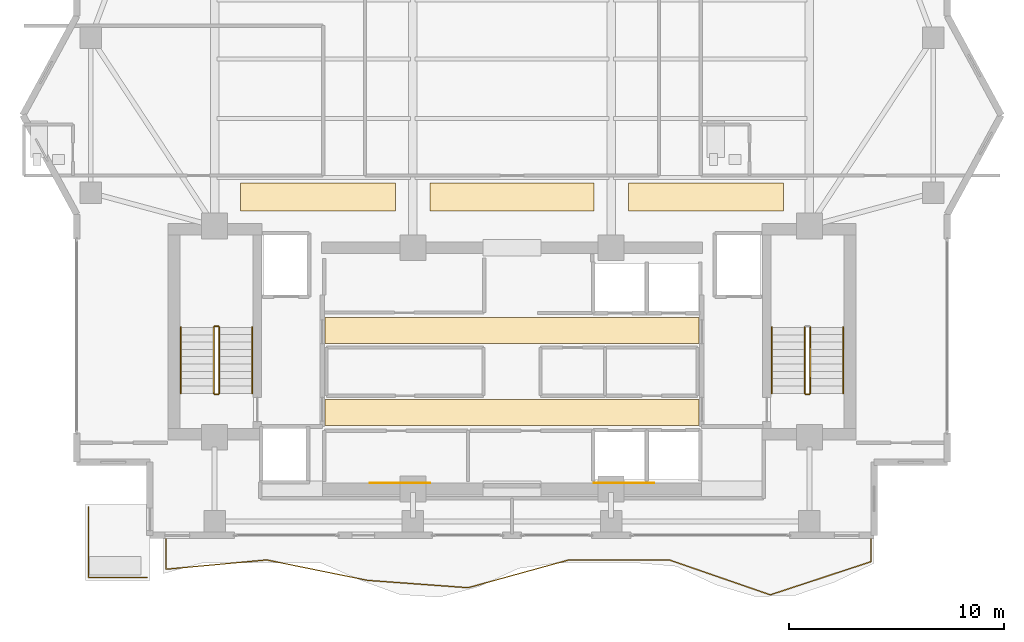
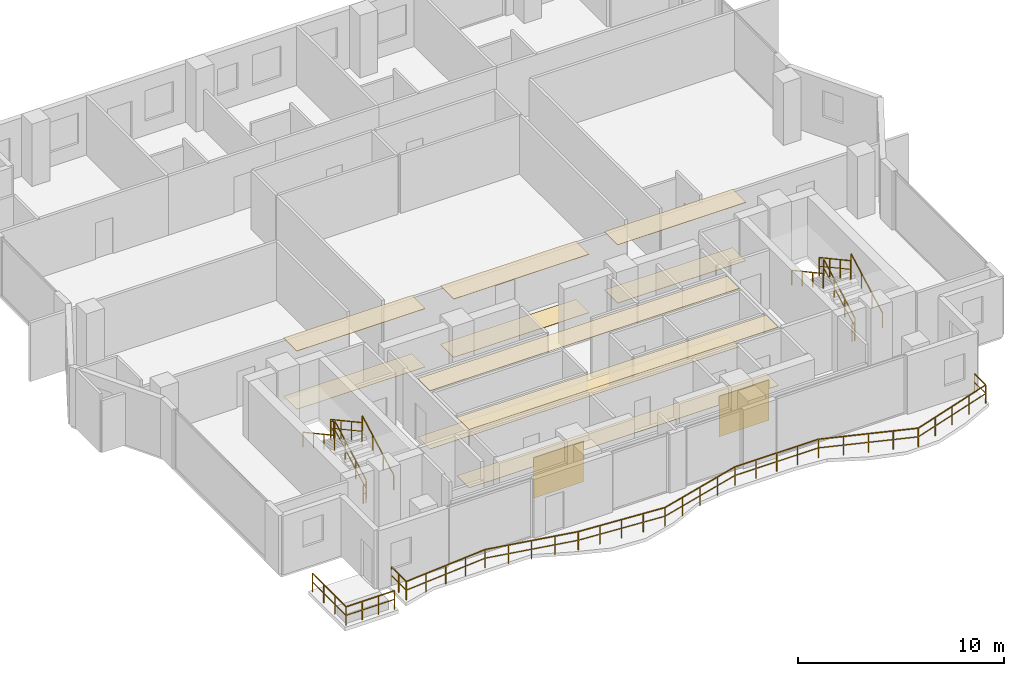
# One storey, part 23 of 26: 13 railings, 12 coverings.
"""IFC4 building model written with IfcOpenShell, lengths in metres."""

from ifc_helpers import new_model, si_unit, direction, frame, origin, origin_2d, place, context, subcontext, project, spatial, polyline, rectangle, outline, extrude, material, layer, layer_set, type_object, element, save


model = new_model("IFC4")

# Units and contexts
model_context = context("Model", 3, precision=1e-05, world=origin(), true_north=direction((0.0, 1.0)))
body_context = subcontext(model_context, "Body", "Model", "MODEL_VIEW")
ifc_project = project(units=[si_unit("LENGTHUNIT", "METRE"), si_unit("AREAUNIT", "SQUARE_METRE"), si_unit("VOLUMEUNIT", "CUBIC_METRE"), si_unit("PLANEANGLEUNIT", "RADIAN"), si_unit("MASSUNIT", "GRAM", prefix="KILO")], contexts=[model_context])

# Site, building, storey
site_placement = place(None, origin())
site = spatial("IfcSite", under=ifc_project, at=site_placement, CompositionType="ELEMENT")
building_placement = place(site_placement, origin())
building = spatial("IfcBuilding", under=site, at=building_placement, Name="Zuhayl Quay Hotel", CompositionType="ELEMENT")
storey_placement = place(building_placement, frame((0.0, 0.0, 247.050048828125)))
storey = spatial("IfcBuildingStorey", under=building, at=storey_placement, Name="L62", CompositionType="ELEMENT", Elevation=247.050048828125)

# Coverings
ifc_material_1 = material(Name="Acoustic Mineral-Fibre Gypsum Board")
ifc_layer_1 = layer(ifc_material_1, 0.02490234375, Name="Acoustic Mineral-Fibre Gypsum Board")
ifc_layer_set_1 = layer_set([ifc_layer_1], Name="Acoustic Mineral-Fibre Gypsum Board")
covering_type_1 = type_object("IfcCoveringType", Name="CV_CEIL_ACOUSTIC", PredefinedType="CEILING", material=ifc_layer_set_1)
covering_1_placement = place(storey_placement, frame((0.0, 0.0, 3.454833984375)))
element("IfcCovering", 1, at=covering_1_placement, inside=storey, type_object=covering_type_1, Name="L62 Suspended Acoustic Lobby Ceiling S", PredefinedType="CEILING", context=body_context, shape_type="SweptSolid", body=[
    extrude(outline(polyline([(-8.679931640625, 5.10009765625), (8.679931640625, 5.10009765625), (8.679931640625, 6.300048828125), (-8.679931640625, 6.300048828125), (-8.679931640625, 5.10009765625)])), origin(), (0.0, 0.0, 1.0), 0.025146484375),
])
covering_2_placement = place(storey_placement, frame((0.0, 0.0, 3.454833984375)))
element("IfcCovering", 2, at=covering_2_placement, inside=storey, type_object=covering_type_1, Name="L62 Suspended Acoustic Lobby Ceiling N", PredefinedType="CEILING", context=body_context, shape_type="SweptSolid", body=[
    extrude(outline(polyline([(-8.679931640625, 8.89990234375), (8.679931640625, 8.89990234375), (8.679931640625, 10.10009765625), (-8.679931640625, 10.10009765625), (-8.679931640625, 8.89990234375)])), origin(), (0.0, 0.0, 1.0), 0.025146484375),
])
covering_3_placement = place(storey_placement, frame((0.0, 0.0, 3.454833984375)))
element("IfcCovering", 3, at=covering_3_placement, inside=storey, type_object=covering_type_1, Name="L62 Guest Corridor Acoustic Ceiling CW", PredefinedType="CEILING", context=body_context, shape_type="SweptSolid", body=[
    extrude(outline(polyline([(-12.60009765625, 15.050048828125), (-5.39990234375, 15.050048828125), (-5.39990234375, 16.35009765625), (-12.60009765625, 16.35009765625), (-12.60009765625, 15.050048828125)])), origin(), (0.0, 0.0, 1.0), 0.025146484375),
])
covering_4_placement = place(storey_placement, frame((0.0, 0.0, 3.454833984375)))
element("IfcCovering", 4, at=covering_4_placement, inside=storey, type_object=covering_type_1, Name="L62 Guest Corridor Acoustic Ceiling CC", PredefinedType="CEILING", context=body_context, shape_type="SweptSolid", body=[
    extrude(outline(polyline([(-3.800048828125, 15.050048828125), (3.800048828125, 15.050048828125), (3.800048828125, 16.35009765625), (-3.800048828125, 16.35009765625), (-3.800048828125, 15.050048828125)])), origin(), (0.0, 0.0, 1.0), 0.025146484375),
])
covering_5_placement = place(storey_placement, frame((0.0, 0.0, 3.454833984375)))
element("IfcCovering", 5, at=covering_5_placement, inside=storey, type_object=covering_type_1, Name="L62 Guest Corridor Acoustic Ceiling CE", PredefinedType="CEILING", context=body_context, shape_type="SweptSolid", body=[
    extrude(outline(polyline([(5.39990234375, 15.050048828125), (12.60009765625, 15.050048828125), (12.60009765625, 16.35009765625), (5.39990234375, 16.35009765625), (5.39990234375, 15.050048828125)])), origin(), (0.0, 0.0, 1.0), 0.025146484375),
])
ifc_material_2 = material(Name="Polished Limestone Terrazzo", Category="masonry")
ifc_layer_2 = layer(ifc_material_2, 0.02001953125, Name="Polished Limestone Terrazzo", Category="masonry")
ifc_layer_set_2 = layer_set([ifc_layer_2], Name="Polished Limestone Terrazzo")
covering_type_2 = type_object("IfcCoveringType", Name="CV_FLOOR_TERRAZZO", PredefinedType="FLOORING", material=ifc_layer_set_2)
covering_6_placement = place(storey_placement, origin())
element("IfcCovering", 6, at=covering_6_placement, inside=storey, type_object=covering_type_2, Name="L62 Honed Limestone Terrazzo Lobby Flooring S", PredefinedType="FLOORING", context=body_context, shape_type="SweptSolid", body=[
    extrude(outline(polyline([(-8.679931640625, 5.10009765625), (8.679931640625, 5.10009765625), (8.679931640625, 6.300048828125), (-8.679931640625, 6.300048828125), (-8.679931640625, 5.10009765625)])), origin(), (0.0, 0.0, 1.0), 0.02001953125),
])
covering_7_placement = place(storey_placement, origin())
element("IfcCovering", 7, at=covering_7_placement, inside=storey, type_object=covering_type_2, Name="L62 Honed Limestone Terrazzo Lobby Flooring N", PredefinedType="FLOORING", context=body_context, shape_type="SweptSolid", body=[
    extrude(outline(polyline([(-8.679931640625, 8.89990234375), (8.679931640625, 8.89990234375), (8.679931640625, 10.10009765625), (-8.679931640625, 10.10009765625), (-8.679931640625, 8.89990234375)])), origin(), (0.0, 0.0, 1.0), 0.02001953125),
])
covering_8_placement = place(storey_placement, origin())
element("IfcCovering", 8, at=covering_8_placement, inside=storey, type_object=covering_type_2, Name="L62 Guest Corridor Terrazzo Runner CW", PredefinedType="FLOORING", context=body_context, shape_type="SweptSolid", body=[
    extrude(outline(polyline([(-12.60009765625, 15.050048828125), (-5.39990234375, 15.050048828125), (-5.39990234375, 16.35009765625), (-12.60009765625, 16.35009765625), (-12.60009765625, 15.050048828125)])), origin(), (0.0, 0.0, 1.0), 0.02001953125),
])
covering_9_placement = place(storey_placement, origin())
element("IfcCovering", 9, at=covering_9_placement, inside=storey, type_object=covering_type_2, Name="L62 Guest Corridor Terrazzo Runner CC", PredefinedType="FLOORING", context=body_context, shape_type="SweptSolid", body=[
    extrude(outline(polyline([(-3.800048828125, 15.050048828125), (3.800048828125, 15.050048828125), (3.800048828125, 16.35009765625), (-3.800048828125, 16.35009765625), (-3.800048828125, 15.050048828125)])), origin(), (0.0, 0.0, 1.0), 0.02001953125),
])
covering_10_placement = place(storey_placement, origin())
element("IfcCovering", 10, at=covering_10_placement, inside=storey, type_object=covering_type_2, Name="L62 Guest Corridor Terrazzo Runner CE", PredefinedType="FLOORING", context=body_context, shape_type="SweptSolid", body=[
    extrude(outline(polyline([(5.39990234375, 15.050048828125), (12.60009765625, 15.050048828125), (12.60009765625, 16.35009765625), (5.39990234375, 16.35009765625), (5.39990234375, 15.050048828125)])), origin(), (0.0, 0.0, 1.0), 0.02001953125),
])
ifc_material_3 = material(Name="Acoustic Walnut Feature Timber", Category="wood")
ifc_layer_3 = layer(ifc_material_3, 0.02197265625, Name="Acoustic Walnut Feature Timber", Category="wood")
ifc_layer_set_3 = layer_set([ifc_layer_3], Name="Acoustic Walnut Feature Timber")
covering_type_3 = type_object("IfcCoveringType", Name="CV_WALL_CLAD", PredefinedType="CLADDING", material=ifc_layer_set_3)
for number, where, z_axis, x_axis, name in (
    (11, (-5.199951171875, 2.43603515625, 0.300048828125), (0.0, 0.0, 1.0), (1.0, 0.0, 0.0), "L62 Feature Lobby Walnut Wall Cladding W"),
    (12, (5.199951171875, 2.43603515625, 0.300048828125), (0.0, 0.0, 1.0), (1.0, 0.0, 0.0), "L62 Feature Lobby Walnut Wall Cladding E"),
):
    element("IfcCovering", number, at=place(storey_placement, frame(where, z_axis=z_axis, x_axis=x_axis)), inside=storey, type_object=covering_type_3, Name=name, PredefinedType="CLADDING", context=body_context, shape_type="SweptSolid", body=[
        extrude(rectangle(XDim=2.800048828125, YDim=0.02197265625, at=origin_2d()), origin(), (0.0, 0.0, 1.0), 2.39990234375),
    ])

# Railings
ifc_material_4 = material(Name="Anodised Aluminium and Laminated Glass", Category="aluminium")
railing_type_1 = type_object("IfcRailingType", Name="RL_EXT_BAL_1100", PredefinedType="BALUSTRADE", material=ifc_material_4)
railing_1_placement = place(storey_placement, frame((-16.06005859375, -0.1201171875, 0.0)))
element("IfcRailing", 13, at=railing_1_placement, inside=storey, type_object=railing_type_1, Name="L62 Balcony and Terrace Guard GR_L62_BAL_S", PredefinedType="BALUSTRADE", context=body_context, shape_type="SweptSolid", body=[
    extrude(rectangle(XDim=0.048095703125, YDim=0.048095703125, at=origin_2d()), frame((0.0, 0.0, 1.09619140625), z_axis=(0.0, -1.0, 0.0), x_axis=(1.0, 0.0, 0.0)), (0.0, 0.0, 1.0), 1.4521484375),
    extrude(rectangle(XDim=0.0361328125, YDim=0.0361328125, at=origin_2d()), frame((0.0, 0.0, 0.58251953125), z_axis=(0.0, -1.0, 0.0), x_axis=(1.0, 0.0, 0.0)), (0.0, 0.0, 1.0), 1.4521484375),
    extrude(rectangle(XDim=0.048095703125, YDim=0.048095703125, at=origin_2d()), frame((0.0, -1.4521484375, 1.09619140625), z_axis=(0.995749158085, 0.092106537082, 0.0), x_axis=(-0.092106537082, 0.995749158085, 0.0)), (0.0, 0.0, 1.0), 4.6943359375),
    extrude(rectangle(XDim=0.0361328125, YDim=0.0361328125, at=origin_2d()), frame((0.0, -1.4521484375, 0.58251953125), z_axis=(0.995749158085, 0.092106537082, 0.0), x_axis=(-0.092106537082, 0.995749158085, 0.0)), (0.0, 0.0, 1.0), 4.6943359375),
    extrude(rectangle(XDim=0.048095703125, YDim=0.048095703125, at=origin_2d()), frame((4.67431640625, -1.019775390625, 1.09619140625), z_axis=(0.980087367438, -0.198566744923, 0.0), x_axis=(0.198566744923, 0.980087367438, 0.0)), (0.0, 0.0, 1.0), 4.769287109375),
    extrude(rectangle(XDim=0.0361328125, YDim=0.0361328125, at=origin_2d()), frame((4.67431640625, -1.019775390625, 0.58251953125), z_axis=(0.980087367438, -0.198566744923, 0.0), x_axis=(0.198566744923, 0.980087367438, 0.0)), (0.0, 0.0, 1.0), 4.769287109375),
    extrude(rectangle(XDim=0.048095703125, YDim=0.048095703125, at=origin_2d()), frame((9.3486328125, -1.966796875, 1.09619140625), z_axis=(0.997329653414, -0.073031242771, 0.0), x_axis=(0.073031242771, 0.997329653414, 0.0)), (0.0, 0.0, 1.0), 4.686767578125),
    extrude(rectangle(XDim=0.0361328125, YDim=0.0361328125, at=origin_2d()), frame((9.3486328125, -1.966796875, 0.58251953125), z_axis=(0.997329653414, -0.073031242771, 0.0), x_axis=(0.073031242771, 0.997329653414, 0.0)), (0.0, 0.0, 1.0), 4.686767578125),
    extrude(rectangle(XDim=0.048095703125, YDim=0.048095703125, at=origin_2d()), frame((14.02294921875, -2.30908203125, 1.09619140625), z_axis=(0.964001074293, 0.265898342909, 0.0), x_axis=(-0.265898342909, 0.964001074293, 0.0)), (0.0, 0.0, 1.0), 4.848876953125),
    extrude(rectangle(XDim=0.0361328125, YDim=0.0361328125, at=origin_2d()), frame((14.02294921875, -2.30908203125, 0.58251953125), z_axis=(0.964001074293, 0.265898342909, 0.0), x_axis=(-0.265898342909, 0.964001074293, 0.0)), (0.0, 0.0, 1.0), 4.848876953125),
    extrude(rectangle(XDim=0.048095703125, YDim=0.048095703125, at=origin_2d()), frame((18.697265625, -1.019775390625, 1.09619140625), z_axis=(0.999999454344, -0.00104465861, 0.0), x_axis=(0.00104465861, 0.999999454344, 0.0)), (0.0, 0.0, 1.0), 4.674072265625),
    extrude(rectangle(XDim=0.0361328125, YDim=0.0361328125, at=origin_2d()), frame((18.697265625, -1.019775390625, 0.58251953125), z_axis=(0.999999454344, -0.00104465861, 0.0), x_axis=(0.00104465861, 0.999999454344, 0.0)), (0.0, 0.0, 1.0), 4.674072265625),
    extrude(rectangle(XDim=0.048095703125, YDim=0.048095703125, at=origin_2d()), frame((23.371337890625, -1.024658203125, 1.09619140625), z_axis=(0.945191313535, -0.326517045217, 0.0), x_axis=(0.326517045217, 0.945191313535, 0.0)), (0.0, 0.0, 1.0), 4.9453125),
    extrude(rectangle(XDim=0.0361328125, YDim=0.0361328125, at=origin_2d()), frame((23.371337890625, -1.024658203125, 0.58251953125), z_axis=(0.945191313535, -0.326517045217, 0.0), x_axis=(0.326517045217, 0.945191313535, 0.0)), (0.0, 0.0, 1.0), 4.9453125),
    extrude(rectangle(XDim=0.048095703125, YDim=0.048095703125, at=origin_2d()), frame((28.045654296875, -2.639404296875, 1.09619140625), z_axis=(0.949896720071, 0.312563947375, 0.0), x_axis=(-0.312563947375, 0.949896720071, 0.0)), (0.0, 0.0, 1.0), 4.9208984375),
    extrude(rectangle(XDim=0.0361328125, YDim=0.0361328125, at=origin_2d()), frame((28.045654296875, -2.639404296875, 0.58251953125), z_axis=(0.949896720071, 0.312563947375, 0.0), x_axis=(-0.312563947375, 0.949896720071, 0.0)), (0.0, 0.0, 1.0), 4.9208984375),
    extrude(rectangle(XDim=0.048095703125, YDim=0.048095703125, at=origin_2d()), frame((32.719970703125, -1.101318359375, 1.09619140625), z_axis=(0.0, 1.0, 0.0), x_axis=(-1.0, 0.0, 0.0)), (0.0, 0.0, 1.0), 1.101318359375),
    extrude(rectangle(XDim=0.0361328125, YDim=0.0361328125, at=origin_2d()), frame((32.719970703125, -1.101318359375, 0.58251953125), z_axis=(0.0, 1.0, 0.0), x_axis=(-1.0, 0.0, 0.0)), (0.0, 0.0, 1.0), 1.101318359375),
    extrude(rectangle(XDim=0.0419921875, YDim=0.0419921875, at=origin_2d()), origin(), (0.0, 0.0, 1.0), 1.072021484375),
    extrude(rectangle(XDim=0.0419921875, YDim=0.0419921875, at=origin_2d()), frame((0.0, -0.72607421875, 0.0)), (0.0, 0.0, 1.0), 1.072021484375),
    extrude(rectangle(XDim=0.0419921875, YDim=0.0419921875, at=origin_2d()), frame((0.0, -1.4521484375, 0.0)), (0.0, 0.0, 1.0), 1.072021484375),
    extrude(rectangle(XDim=0.0419921875, YDim=0.0419921875, at=origin_2d()), frame((1.16845703125, -1.343994140625, 0.0)), (0.0, 0.0, 1.0), 1.072021484375),
    extrude(rectangle(XDim=0.0419921875, YDim=0.0419921875, at=origin_2d()), frame((2.337158203125, -1.23583984375, 0.0)), (0.0, 0.0, 1.0), 1.072021484375),
    extrude(rectangle(XDim=0.0419921875, YDim=0.0419921875, at=origin_2d()), frame((3.505859375, -1.1279296875, 0.0)), (0.0, 0.0, 1.0), 1.072021484375),
    extrude(rectangle(XDim=0.0419921875, YDim=0.0419921875, at=origin_2d()), frame((4.67431640625, -1.019775390625, 0.0)), (0.0, 0.0, 1.0), 1.072021484375),
    extrude(rectangle(XDim=0.0419921875, YDim=0.0419921875, at=origin_2d()), frame((5.8427734375, -1.256591796875, 0.0)), (0.0, 0.0, 1.0), 1.072021484375),
    extrude(rectangle(XDim=0.0419921875, YDim=0.0419921875, at=origin_2d()), frame((7.011474609375, -1.4931640625, 0.0)), (0.0, 0.0, 1.0), 1.072021484375),
    extrude(rectangle(XDim=0.0419921875, YDim=0.0419921875, at=origin_2d()), frame((8.18017578125, -1.72998046875, 0.0)), (0.0, 0.0, 1.0), 1.072021484375),
    extrude(rectangle(XDim=0.0419921875, YDim=0.0419921875, at=origin_2d()), frame((9.3486328125, -1.966796875, 0.0)), (0.0, 0.0, 1.0), 1.072021484375),
    extrude(rectangle(XDim=0.0419921875, YDim=0.0419921875, at=origin_2d()), frame((10.51708984375, -2.05224609375, 0.0)), (0.0, 0.0, 1.0), 1.072021484375),
    extrude(rectangle(XDim=0.0419921875, YDim=0.0419921875, at=origin_2d()), frame((11.685791015625, -2.137939453125, 0.0)), (0.0, 0.0, 1.0), 1.072021484375),
    extrude(rectangle(XDim=0.0419921875, YDim=0.0419921875, at=origin_2d()), frame((12.8544921875, -2.2236328125, 0.0)), (0.0, 0.0, 1.0), 1.072021484375),
    extrude(rectangle(XDim=0.0419921875, YDim=0.0419921875, at=origin_2d()), frame((14.02294921875, -2.30908203125, 0.0)), (0.0, 0.0, 1.0), 1.072021484375),
    extrude(rectangle(XDim=0.0419921875, YDim=0.0419921875, at=origin_2d()), frame((15.19140625, -1.98681640625, 0.0)), (0.0, 0.0, 1.0), 1.072021484375),
    extrude(rectangle(XDim=0.0419921875, YDim=0.0419921875, at=origin_2d()), frame((16.360107421875, -1.66455078125, 0.0)), (0.0, 0.0, 1.0), 1.072021484375),
    extrude(rectangle(XDim=0.0419921875, YDim=0.0419921875, at=origin_2d()), frame((17.52880859375, -1.342041015625, 0.0)), (0.0, 0.0, 1.0), 1.072021484375),
    extrude(rectangle(XDim=0.0419921875, YDim=0.0419921875, at=origin_2d()), frame((18.697265625, -1.019775390625, 0.0)), (0.0, 0.0, 1.0), 1.072021484375),
    extrude(rectangle(XDim=0.0419921875, YDim=0.0419921875, at=origin_2d()), frame((19.86572265625, -1.02099609375, 0.0)), (0.0, 0.0, 1.0), 1.072021484375),
    extrude(rectangle(XDim=0.0419921875, YDim=0.0419921875, at=origin_2d()), frame((21.0341796875, -1.022216796875, 0.0)), (0.0, 0.0, 1.0), 1.072021484375),
    extrude(rectangle(XDim=0.0419921875, YDim=0.0419921875, at=origin_2d()), frame((22.202880859375, -1.0234375, 0.0)), (0.0, 0.0, 1.0), 1.072021484375),
    extrude(rectangle(XDim=0.0419921875, YDim=0.0419921875, at=origin_2d()), frame((23.371337890625, -1.024658203125, 0.0)), (0.0, 0.0, 1.0), 1.072021484375),
    extrude(rectangle(XDim=0.0419921875, YDim=0.0419921875, at=origin_2d()), frame((24.5400390625, -1.42822265625, 0.0)), (0.0, 0.0, 1.0), 1.072021484375),
    extrude(rectangle(XDim=0.0419921875, YDim=0.0419921875, at=origin_2d()), frame((25.70849609375, -1.83203125, 0.0)), (0.0, 0.0, 1.0), 1.072021484375),
    extrude(rectangle(XDim=0.0419921875, YDim=0.0419921875, at=origin_2d()), frame((26.876953125, -2.23583984375, 0.0)), (0.0, 0.0, 1.0), 1.072021484375),
    extrude(rectangle(XDim=0.0419921875, YDim=0.0419921875, at=origin_2d()), frame((28.045654296875, -2.639404296875, 0.0)), (0.0, 0.0, 1.0), 1.072021484375),
    extrude(rectangle(XDim=0.0419921875, YDim=0.0419921875, at=origin_2d()), frame((29.21435546875, -2.2548828125, 0.0)), (0.0, 0.0, 1.0), 1.072021484375),
    extrude(rectangle(XDim=0.0419921875, YDim=0.0419921875, at=origin_2d()), frame((30.3828125, -1.870361328125, 0.0)), (0.0, 0.0, 1.0), 1.072021484375),
    extrude(rectangle(XDim=0.0419921875, YDim=0.0419921875, at=origin_2d()), frame((31.55126953125, -1.48583984375, 0.0)), (0.0, 0.0, 1.0), 1.072021484375),
    extrude(rectangle(XDim=0.0419921875, YDim=0.0419921875, at=origin_2d()), frame((32.719970703125, -1.101318359375, 0.0)), (0.0, 0.0, 1.0), 1.072021484375),
    extrude(rectangle(XDim=0.0419921875, YDim=0.0419921875, at=origin_2d()), frame((32.719970703125, 0.0, 0.0)), (0.0, 0.0, 1.0), 1.072021484375),
])
railing_2_placement = place(storey_placement, frame((-19.659912109375, 1.31005859375, 0.0)))
element("IfcRailing", 14, at=railing_2_placement, inside=storey, type_object=railing_type_1, Name="L62 Balcony and Terrace Guard GR_L62_SPIRAL_SW", PredefinedType="BALUSTRADE", context=body_context, shape_type="SweptSolid", body=[
    extrude(rectangle(XDim=0.048095703125, YDim=0.048095703125, at=origin_2d()), frame((0.0, 0.0, 1.09619140625), z_axis=(0.0, -1.0, 0.0), x_axis=(1.0, 0.0, 0.0)), (0.0, 0.0, 1.0), 3.27001953125),
    extrude(rectangle(XDim=0.0361328125, YDim=0.0361328125, at=origin_2d()), frame((0.0, 0.0, 0.58251953125), z_axis=(0.0, -1.0, 0.0), x_axis=(1.0, 0.0, 0.0)), (0.0, 0.0, 1.0), 3.27001953125),
    extrude(rectangle(XDim=0.048095703125, YDim=0.048095703125, at=origin_2d()), frame((0.0, -3.27001953125, 1.09619140625), z_axis=(1.0, 0.0, 0.0), x_axis=(0.0, 1.0, 0.0)), (0.0, 0.0, 1.0), 2.719970703125),
    extrude(rectangle(XDim=0.0361328125, YDim=0.0361328125, at=origin_2d()), frame((0.0, -3.27001953125, 0.58251953125), z_axis=(1.0, 0.0, 0.0), x_axis=(0.0, 1.0, 0.0)), (0.0, 0.0, 1.0), 2.719970703125),
    extrude(rectangle(XDim=0.0419921875, YDim=0.0419921875, at=origin_2d()), origin(), (0.0, 0.0, 1.0), 1.072021484375),
    extrude(rectangle(XDim=0.0419921875, YDim=0.0419921875, at=origin_2d()), frame((0.0, -1.090087890625, 0.0)), (0.0, 0.0, 1.0), 1.072021484375),
    extrude(rectangle(XDim=0.0419921875, YDim=0.0419921875, at=origin_2d()), frame((0.0, -2.179931640625, 0.0)), (0.0, 0.0, 1.0), 1.072021484375),
    extrude(rectangle(XDim=0.0419921875, YDim=0.0419921875, at=origin_2d()), frame((0.0, -3.27001953125, 0.0)), (0.0, 0.0, 1.0), 1.072021484375),
    extrude(rectangle(XDim=0.0419921875, YDim=0.0419921875, at=origin_2d()), frame((0.90673828125, -3.27001953125, 0.0)), (0.0, 0.0, 1.0), 1.072021484375),
    extrude(rectangle(XDim=0.0419921875, YDim=0.0419921875, at=origin_2d()), frame((1.813232421875, -3.27001953125, 0.0)), (0.0, 0.0, 1.0), 1.072021484375),
    extrude(rectangle(XDim=0.0419921875, YDim=0.0419921875, at=origin_2d()), frame((2.719970703125, -3.27001953125, 0.0)), (0.0, 0.0, 1.0), 1.072021484375),
])
ifc_material_5 = material(Name="Steel ASTM A992 Grade 50", Category="steel")
railing_type_2 = type_object("IfcRailingType", Name="RL_GUARD_1100", PredefinedType="GUARDRAIL", material=ifc_material_5)
railing_3_placement = place(storey_placement, frame((-13.590087890625, 6.590087890625, 0.18505859375)))
element("IfcRailing", 15, at=railing_3_placement, inside=storey, type_object=railing_type_2, Name="L62 ST1 stair guard 1", PredefinedType="GUARDRAIL", context=body_context, shape_type="SweptSolid", body=[
    extrude(rectangle(XDim=0.048095703125, YDim=0.048095703125, at=origin_2d()), frame((0.0, 0.0, 1.09619140625), z_axis=(0.0, 0.878401316366, 0.477923767358), x_axis=(-1.0, 0.0, 0.0)), (0.0, 0.0, 1.0), 3.4833984375),
    extrude(rectangle(XDim=0.0361328125, YDim=0.0361328125, at=origin_2d()), frame((0.0, 0.0, 0.58251953125), z_axis=(0.0, 0.878401316366, 0.477923767358), x_axis=(-1.0, 0.0, 0.0)), (0.0, 0.0, 1.0), 3.4833984375),
    extrude(rectangle(XDim=0.0419921875, YDim=0.0419921875, at=origin_2d()), origin(), (0.0, 0.0, 1.0), 1.072021484375),
    extrude(rectangle(XDim=0.0419921875, YDim=0.0419921875, at=origin_2d()), frame((0.0, 1.02001953125, 0.554931640625)), (0.0, 0.0, 1.0), 1.072021484375),
    extrude(rectangle(XDim=0.0419921875, YDim=0.0419921875, at=origin_2d()), frame((0.0, 2.039794921875, 1.10986328125)), (0.0, 0.0, 1.0), 1.072021484375),
    extrude(rectangle(XDim=0.0419921875, YDim=0.0419921875, at=origin_2d()), frame((0.0, 3.059814453125, 1.664794921875)), (0.0, 0.0, 1.0), 1.072021484375),
])
railing_4_placement = place(storey_placement, frame((-13.639892578125, 9.699951171875, 1.849853515625)))
element("IfcRailing", 16, at=railing_4_placement, inside=storey, type_object=railing_type_2, Name="L62 ST1 stair guard 2", PredefinedType="GUARDRAIL", context=body_context, shape_type="SweptSolid", body=[
    extrude(rectangle(XDim=0.048095703125, YDim=0.048095703125, at=origin_2d()), frame((0.0, 0.0, 1.09619140625), z_axis=(-1.0, 0.0, 0.0), x_axis=(0.0, -1.0, 0.0)), (0.0, 0.0, 1.0), 0.150146484375),
    extrude(rectangle(XDim=0.0361328125, YDim=0.0361328125, at=origin_2d()), frame((0.0, 0.0, 0.58251953125), z_axis=(-1.0, 0.0, 0.0), x_axis=(0.0, -1.0, 0.0)), (0.0, 0.0, 1.0), 0.150146484375),
    extrude(rectangle(XDim=0.0419921875, YDim=0.0419921875, at=origin_2d()), origin(), (0.0, 0.0, 1.0), 1.072021484375),
    extrude(rectangle(XDim=0.0419921875, YDim=0.0419921875, at=origin_2d()), frame((-0.150146484375, 0.0, 0.0)), (0.0, 0.0, 1.0), 1.072021484375),
])
railing_5_placement = place(storey_placement, frame((-13.840087890625, 9.64990234375, 2.034912109375)))
element("IfcRailing", 17, at=railing_5_placement, inside=storey, type_object=railing_type_2, Name="L62 ST1 stair guard 3", PredefinedType="GUARDRAIL", context=body_context, shape_type="SweptSolid", body=[
    extrude(rectangle(XDim=0.048095703125, YDim=0.048095703125, at=origin_2d()), frame((0.0, 0.0, 1.09619140625), z_axis=(0.0, -0.878371892512, 0.477977843049), x_axis=(1.0, 0.0, 0.0)), (0.0, 0.0, 1.0), 3.4833984375),
    extrude(rectangle(XDim=0.0361328125, YDim=0.0361328125, at=origin_2d()), frame((0.0, 0.0, 0.58251953125), z_axis=(0.0, -0.878371892512, 0.477977843049), x_axis=(1.0, 0.0, 0.0)), (0.0, 0.0, 1.0), 3.4833984375),
    extrude(rectangle(XDim=0.0419921875, YDim=0.0419921875, at=origin_2d()), origin(), (0.0, 0.0, 1.0), 1.072021484375),
    extrude(rectangle(XDim=0.0419921875, YDim=0.0419921875, at=origin_2d()), frame((0.0, -1.02001953125, 0.554931640625)), (0.0, 0.0, 1.0), 1.072021484375),
    extrude(rectangle(XDim=0.0419921875, YDim=0.0419921875, at=origin_2d()), frame((0.0, -2.039794921875, 1.110107421875)), (0.0, 0.0, 1.0), 1.072021484375),
    extrude(rectangle(XDim=0.0419921875, YDim=0.0419921875, at=origin_2d()), frame((0.0, -3.059814453125, 1.6650390625)), (0.0, 0.0, 1.0), 1.072021484375),
])
railing_6_placement = place(storey_placement, frame((-13.639892578125, 6.5400390625, 0.0)))
element("IfcRailing", 18, at=railing_6_placement, inside=storey, type_object=railing_type_2, Name="L62 ST1 stair guard 4", PredefinedType="GUARDRAIL", context=body_context, shape_type="SweptSolid", body=[
    extrude(rectangle(XDim=0.048095703125, YDim=0.048095703125, at=origin_2d()), frame((0.0, 0.0, 1.09619140625), z_axis=(-1.0, 0.0, 0.0), x_axis=(0.0, -1.0, 0.0)), (0.0, 0.0, 1.0), 0.150146484375),
    extrude(rectangle(XDim=0.0361328125, YDim=0.0361328125, at=origin_2d()), frame((0.0, 0.0, 0.58251953125), z_axis=(-1.0, 0.0, 0.0), x_axis=(0.0, -1.0, 0.0)), (0.0, 0.0, 1.0), 0.150146484375),
    extrude(rectangle(XDim=0.0419921875, YDim=0.0419921875, at=origin_2d()), origin(), (0.0, 0.0, 1.0), 1.072021484375),
    extrude(rectangle(XDim=0.0419921875, YDim=0.0419921875, at=origin_2d()), frame((-0.150146484375, 0.0, 0.0)), (0.0, 0.0, 1.0), 1.072021484375),
])
railing_7_placement = place(storey_placement, frame((13.840087890625, 6.590087890625, 0.18505859375)))
element("IfcRailing", 19, at=railing_7_placement, inside=storey, type_object=railing_type_2, Name="L62 ST2 stair guard 1", PredefinedType="GUARDRAIL", context=body_context, shape_type="SweptSolid", body=[
    extrude(rectangle(XDim=0.048095703125, YDim=0.048095703125, at=origin_2d()), frame((0.0, 0.0, 1.09619140625), z_axis=(0.0, 0.878401316366, 0.477923767358), x_axis=(-1.0, 0.0, 0.0)), (0.0, 0.0, 1.0), 3.4833984375),
    extrude(rectangle(XDim=0.0361328125, YDim=0.0361328125, at=origin_2d()), frame((0.0, 0.0, 0.58251953125), z_axis=(0.0, 0.878401316366, 0.477923767358), x_axis=(-1.0, 0.0, 0.0)), (0.0, 0.0, 1.0), 3.4833984375),
    extrude(rectangle(XDim=0.0419921875, YDim=0.0419921875, at=origin_2d()), origin(), (0.0, 0.0, 1.0), 1.072021484375),
    extrude(rectangle(XDim=0.0419921875, YDim=0.0419921875, at=origin_2d()), frame((0.0, 1.02001953125, 0.554931640625)), (0.0, 0.0, 1.0), 1.072021484375),
    extrude(rectangle(XDim=0.0419921875, YDim=0.0419921875, at=origin_2d()), frame((0.0, 2.039794921875, 1.10986328125)), (0.0, 0.0, 1.0), 1.072021484375),
    extrude(rectangle(XDim=0.0419921875, YDim=0.0419921875, at=origin_2d()), frame((0.0, 3.059814453125, 1.664794921875)), (0.0, 0.0, 1.0), 1.072021484375),
])
railing_8_placement = place(storey_placement, frame((13.590087890625, 9.64990234375, 2.034912109375)))
element("IfcRailing", 20, at=railing_8_placement, inside=storey, type_object=railing_type_2, Name="L62 ST2 stair guard 3", PredefinedType="GUARDRAIL", context=body_context, shape_type="SweptSolid", body=[
    extrude(rectangle(XDim=0.048095703125, YDim=0.048095703125, at=origin_2d()), frame((0.0, 0.0, 1.09619140625), z_axis=(0.0, -0.878371892512, 0.477977843049), x_axis=(1.0, 0.0, 0.0)), (0.0, 0.0, 1.0), 3.4833984375),
    extrude(rectangle(XDim=0.0361328125, YDim=0.0361328125, at=origin_2d()), frame((0.0, 0.0, 0.58251953125), z_axis=(0.0, -0.878371892512, 0.477977843049), x_axis=(1.0, 0.0, 0.0)), (0.0, 0.0, 1.0), 3.4833984375),
    extrude(rectangle(XDim=0.0419921875, YDim=0.0419921875, at=origin_2d()), origin(), (0.0, 0.0, 1.0), 1.072021484375),
    extrude(rectangle(XDim=0.0419921875, YDim=0.0419921875, at=origin_2d()), frame((0.0, -1.02001953125, 0.554931640625)), (0.0, 0.0, 1.0), 1.072021484375),
    extrude(rectangle(XDim=0.0419921875, YDim=0.0419921875, at=origin_2d()), frame((0.0, -2.039794921875, 1.110107421875)), (0.0, 0.0, 1.0), 1.072021484375),
    extrude(rectangle(XDim=0.0419921875, YDim=0.0419921875, at=origin_2d()), frame((0.0, -3.059814453125, 1.6650390625)), (0.0, 0.0, 1.0), 1.072021484375),
])
railing_9_placement = place(storey_placement, frame((13.7900390625, 6.5400390625, 0.0)))
element("IfcRailing", 21, at=railing_9_placement, inside=storey, type_object=railing_type_2, Name="L62 ST2 stair guard 4", PredefinedType="GUARDRAIL", context=body_context, shape_type="SweptSolid", body=[
    extrude(rectangle(XDim=0.048095703125, YDim=0.048095703125, at=origin_2d()), frame((0.0, 0.0, 1.09619140625), z_axis=(-1.0, 0.0, 0.0), x_axis=(0.0, -1.0, 0.0)), (0.0, 0.0, 1.0), 0.150146484375),
    extrude(rectangle(XDim=0.0361328125, YDim=0.0361328125, at=origin_2d()), frame((0.0, 0.0, 0.58251953125), z_axis=(-1.0, 0.0, 0.0), x_axis=(0.0, -1.0, 0.0)), (0.0, 0.0, 1.0), 0.150146484375),
    extrude(rectangle(XDim=0.0419921875, YDim=0.0419921875, at=origin_2d()), origin(), (0.0, 0.0, 1.0), 1.072021484375),
    extrude(rectangle(XDim=0.0419921875, YDim=0.0419921875, at=origin_2d()), frame((-0.150146484375, 0.0, 0.0)), (0.0, 0.0, 1.0), 1.072021484375),
])
railing_type_3 = type_object("IfcRailingType", Name="RL_HANDRAIL_920", PredefinedType="HANDRAIL", material=ifc_material_5)
railing_10_placement = place(storey_placement, frame((-12.050048828125, 6.590087890625, 0.18505859375)))
element("IfcRailing", 22, at=railing_10_placement, inside=storey, type_object=railing_type_3, Name="L62 ST1 stair handrail 1", PredefinedType="HANDRAIL", context=body_context, shape_type="SweptSolid", body=[
    extrude(rectangle(XDim=0.048095703125, YDim=0.048095703125, at=origin_2d()), frame((0.0, 0.0, 0.8759765625), z_axis=(0.0, 0.878401316366, 0.477923767358), x_axis=(-1.0, 0.0, 0.0)), (0.0, 0.0, 1.0), 3.4833984375),
    extrude(rectangle(XDim=0.0419921875, YDim=0.0419921875, at=origin_2d()), origin(), (0.0, 0.0, 1.0), 0.851806640625),
    extrude(rectangle(XDim=0.0419921875, YDim=0.0419921875, at=origin_2d()), frame((0.0, 1.02001953125, 0.554931640625)), (0.0, 0.0, 1.0), 0.851806640625),
    extrude(rectangle(XDim=0.0419921875, YDim=0.0419921875, at=origin_2d()), frame((0.0, 2.039794921875, 1.10986328125)), (0.0, 0.0, 1.0), 0.851806640625),
    extrude(rectangle(XDim=0.0419921875, YDim=0.0419921875, at=origin_2d()), frame((0.0, 3.059814453125, 1.664794921875)), (0.0, 0.0, 1.0), 0.851806640625),
])
railing_11_placement = place(storey_placement, frame((-15.3798828125, 9.64990234375, 2.034912109375)))
element("IfcRailing", 23, at=railing_11_placement, inside=storey, type_object=railing_type_3, Name="L62 ST1 stair handrail 2", PredefinedType="HANDRAIL", context=body_context, shape_type="SweptSolid", body=[
    extrude(rectangle(XDim=0.048095703125, YDim=0.048095703125, at=origin_2d()), frame((0.0, 0.0, 0.8759765625), z_axis=(0.0, -0.878371892512, 0.477977843049), x_axis=(1.0, 0.0, 0.0)), (0.0, 0.0, 1.0), 3.4833984375),
    extrude(rectangle(XDim=0.0419921875, YDim=0.0419921875, at=origin_2d()), origin(), (0.0, 0.0, 1.0), 0.851806640625),
    extrude(rectangle(XDim=0.0419921875, YDim=0.0419921875, at=origin_2d()), frame((0.0, -1.02001953125, 0.554931640625)), (0.0, 0.0, 1.0), 0.851806640625),
    extrude(rectangle(XDim=0.0419921875, YDim=0.0419921875, at=origin_2d()), frame((0.0, -2.039794921875, 1.110107421875)), (0.0, 0.0, 1.0), 0.851806640625),
    extrude(rectangle(XDim=0.0419921875, YDim=0.0419921875, at=origin_2d()), frame((0.0, -3.059814453125, 1.6650390625)), (0.0, 0.0, 1.0), 0.851806640625),
])
railing_12_placement = place(storey_placement, frame((15.3798828125, 6.590087890625, 0.18505859375)))
element("IfcRailing", 24, at=railing_12_placement, inside=storey, type_object=railing_type_3, Name="L62 ST2 stair handrail 1", PredefinedType="HANDRAIL", context=body_context, shape_type="SweptSolid", body=[
    extrude(rectangle(XDim=0.048095703125, YDim=0.048095703125, at=origin_2d()), frame((0.0, 0.0, 0.8759765625), z_axis=(0.0, 0.878401316366, 0.477923767358), x_axis=(-1.0, 0.0, 0.0)), (0.0, 0.0, 1.0), 3.4833984375),
    extrude(rectangle(XDim=0.0419921875, YDim=0.0419921875, at=origin_2d()), origin(), (0.0, 0.0, 1.0), 0.851806640625),
    extrude(rectangle(XDim=0.0419921875, YDim=0.0419921875, at=origin_2d()), frame((0.0, 1.02001953125, 0.554931640625)), (0.0, 0.0, 1.0), 0.851806640625),
    extrude(rectangle(XDim=0.0419921875, YDim=0.0419921875, at=origin_2d()), frame((0.0, 2.039794921875, 1.10986328125)), (0.0, 0.0, 1.0), 0.851806640625),
    extrude(rectangle(XDim=0.0419921875, YDim=0.0419921875, at=origin_2d()), frame((0.0, 3.059814453125, 1.664794921875)), (0.0, 0.0, 1.0), 0.851806640625),
])
railing_13_placement = place(storey_placement, frame((12.050048828125, 9.64990234375, 2.034912109375)))
element("IfcRailing", 25, at=railing_13_placement, inside=storey, type_object=railing_type_3, Name="L62 ST2 stair handrail 2", PredefinedType="HANDRAIL", context=body_context, shape_type="SweptSolid", body=[
    extrude(rectangle(XDim=0.048095703125, YDim=0.048095703125, at=origin_2d()), frame((0.0, 0.0, 0.8759765625), z_axis=(0.0, -0.878371892512, 0.477977843049), x_axis=(1.0, 0.0, 0.0)), (0.0, 0.0, 1.0), 3.4833984375),
    extrude(rectangle(XDim=0.0419921875, YDim=0.0419921875, at=origin_2d()), origin(), (0.0, 0.0, 1.0), 0.851806640625),
    extrude(rectangle(XDim=0.0419921875, YDim=0.0419921875, at=origin_2d()), frame((0.0, -1.02001953125, 0.554931640625)), (0.0, 0.0, 1.0), 0.851806640625),
    extrude(rectangle(XDim=0.0419921875, YDim=0.0419921875, at=origin_2d()), frame((0.0, -2.039794921875, 1.110107421875)), (0.0, 0.0, 1.0), 0.851806640625),
    extrude(rectangle(XDim=0.0419921875, YDim=0.0419921875, at=origin_2d()), frame((0.0, -3.059814453125, 1.6650390625)), (0.0, 0.0, 1.0), 0.851806640625),
])

save(model, "model.ifc")
